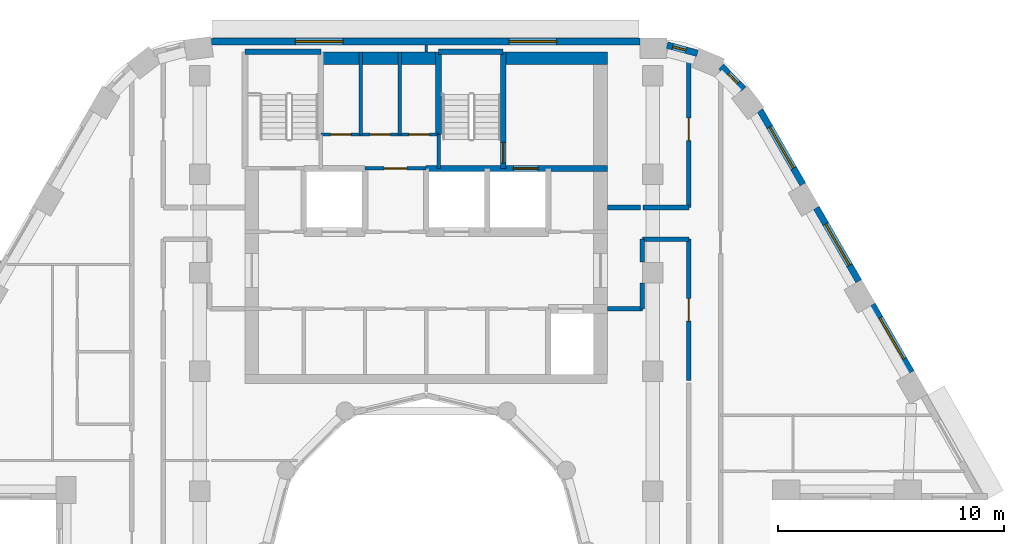
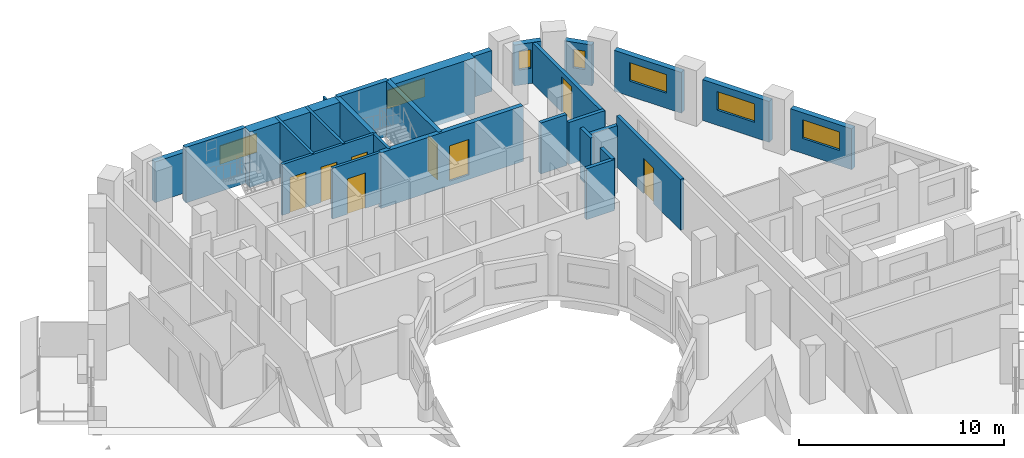
# One storey, part 9 of 17: 27 walls, 8 doors, 7 windows, 15 openings.
"""IFC4 building model written with IfcOpenShell, lengths in metres."""

import ifcopenshell
import ifcopenshell.guid

model = None  # the IFC model being written
_history = None  # IfcOwnerHistory: only IFC2X3 demands one
_inside = {}  # id of a spatial element -> (the spatial element, [elements in it])
_under = {}  # id of a project, library or spatial element -> (it, [spatial elements below it])
_declared = {}  # id of a project -> (the project, [libraries it declares])
_typed = {}  # id of a type object -> (the type object, [elements of that type])
_made_of = {}  # id of a material, layer set ... -> (it, [elements and type objects made of it])


def new_model(schema):
    """Start an empty IFC model of exactly this schema.

    Asked for "IFC4X3", IfcOpenShell would pick the latest addendum, in which some entities
    have other attributes; the version numbers below select the first issue.
    IFC2X3 requires an IfcOwnerHistory on every rooted entity: one is made here for all.
    """
    global model, _history
    if schema == "IFC4X3":
        model = ifcopenshell.file(schema_version=(4, 3, 0, 0))
    else:
        model = ifcopenshell.file(schema=schema)
    _inside.clear()
    _under.clear()
    _declared.clear()
    _typed.clear()
    _made_of.clear()
    _history = None
    if model.schema == "IFC2X3":
        org = make("IfcOrganization", Name="unknown")
        user = make(
            "IfcPersonAndOrganization",
            ThePerson=make("IfcPerson", FamilyName="unknown"),
            TheOrganization=org,
        )
        app = make(
            "IfcApplication",
            ApplicationDeveloper=org,
            Version="unknown",
            ApplicationFullName="unknown",
            ApplicationIdentifier="unknown",
        )
        _history = make(
            "IfcOwnerHistory",
            OwningUser=user,
            OwningApplication=app,
            ChangeAction="ADDED",
            CreationDate=0,
        )
    return model


def make(cls, **values):
    """One entity of the class cls with the attributes given. An attribute that is None is left unset."""
    return model.create_entity(
        cls, **{name: value for name, value in values.items() if value is not None}
    )


def rooted(cls, **values):
    """An entity with a GlobalId (a new one), such as an element, a storey or a relation."""
    return make(cls, GlobalId=ifcopenshell.guid.new(), OwnerHistory=_history, **values)


def si_unit(unit_type, name, prefix=None):
    """IfcSIUnit, for example si_unit("LENGTHUNIT", "METRE", prefix="MILLI")."""
    return make("IfcSIUnit", UnitType=unit_type, Prefix=prefix, Name=name)


def assignment(units):
    """IfcUnitAssignment: the units of a project."""
    return None if units is None else make("IfcUnitAssignment", Units=units)


def point(xyz):
    """IfcCartesianPoint."""
    return None if xyz is None else make("IfcCartesianPoint", Coordinates=xyz)


def direction(xyz):
    """IfcDirection."""
    return None if xyz is None else make("IfcDirection", DirectionRatios=xyz)


def frame(location, z_axis=None, x_axis=None):
    """IfcAxis2Placement3D, a coordinate frame: its origin and axes. An axis left out is left unset."""
    return make(
        "IfcAxis2Placement3D",
        Location=point(location),
        Axis=direction(z_axis),
        RefDirection=direction(x_axis),
    )


def frame_2d(location, x_axis=None):
    """IfcAxis2Placement2D, a coordinate frame in the plane: its origin and x axis."""
    return make(
        "IfcAxis2Placement2D", Location=point(location), RefDirection=direction(x_axis)
    )


def origin():
    """The frame at (0, 0, 0) with its axes left unset."""
    return frame((0.0, 0.0, 0.0))


def place(relative_to, where):
    """IfcLocalPlacement: puts the frame where relative to a parent placement (None: the world)."""
    return make(
        "IfcLocalPlacement", PlacementRelTo=relative_to, RelativePlacement=where
    )


def context(
    kind, dimensions, precision=None, world=None, true_north=None, identifier=None
):
    """IfcGeometricRepresentationContext, for example the 3D "Model" context."""
    return make(
        "IfcGeometricRepresentationContext",
        ContextIdentifier=identifier,
        ContextType=kind,
        CoordinateSpaceDimension=dimensions,
        Precision=precision,
        WorldCoordinateSystem=world,
        TrueNorth=true_north,
    )


def subcontext(parent, identifier, kind, view, scale=None):
    """IfcGeometricRepresentationSubContext, for example "Body" below "Model"."""
    return make(
        "IfcGeometricRepresentationSubContext",
        ContextIdentifier=identifier,
        ContextType=kind,
        ParentContext=parent,
        TargetScale=scale,
        TargetView=view,
    )


def project(units=None, contexts=None):
    """IfcProject with its units and contexts."""
    return rooted(
        "IfcProject",
        Name="project",
        RepresentationContexts=contexts,
        UnitsInContext=assignment(units),
    )


def spatial(cls, under=None, at=None, **own):
    """A site, building, storey or space (cls), placed at a placement, below another one or the project."""
    s = rooted(cls, ObjectPlacement=at, **own)
    if under is not None:
        _under.setdefault(under.id(), (under, []))[1].append(s)
    return s


def profile(cls, at=None, kind="AREA", **sizes):
    """A parametric profile (cls). Its sizes go by their IFC names, for example OverallWidth=200.0."""
    return make(cls, ProfileType=kind, Position=at, **sizes)


def rectangle(**sizes):
    """IfcRectangleProfileDef."""
    return profile("IfcRectangleProfileDef", **sizes)


def extrude(swept, where, along, depth):
    """IfcExtrudedAreaSolid: the profile swept, set in the frame where, extruded along a direction by depth."""
    return make(
        "IfcExtrudedAreaSolid",
        SweptArea=swept,
        Position=where,
        ExtrudedDirection=direction(along),
        Depth=depth,
    )


def shape(context_of_items, identifier, shape_type, items):
    """IfcShapeRepresentation: the items that make up one representation, for example the "Body"."""
    return make(
        "IfcShapeRepresentation",
        ContextOfItems=context_of_items,
        RepresentationIdentifier=identifier,
        RepresentationType=shape_type,
        Items=items,
    )


def material(Name=None, Category=None):
    """IfcMaterial."""
    return make("IfcMaterial", Name=Name, Category=Category)


def layer(
    of_material, thickness, ventilated=None, Name=None, Category=None, Priority=None
):
    """IfcMaterialLayer: one layer of a wall or slab, of a material (None: an air gap)."""
    return make(
        "IfcMaterialLayer",
        Material=of_material,
        LayerThickness=thickness,
        IsVentilated=ventilated,
        Name=Name,
        Category=Category,
        Priority=Priority,
    )


def layer_set(layers, Name=None):
    """IfcMaterialLayerSet."""
    return make("IfcMaterialLayerSet", MaterialLayers=layers, LayerSetName=Name)


def made_of(thing, what):
    """Note that an element or type object is made of a material, layer set ...; save() writes the relation."""
    if what is not None:
        _made_of.setdefault(what.id(), (what, []))[1].append(thing)
    return thing


def type_object(cls, material=None, **own):
    """A type object (cls), such as IfcWallType, which elements share."""
    return made_of(rooted(cls, **own), material)


def element(
    cls,
    number,
    at=None,
    inside=None,
    cuts=None,
    type_object=None,
    material=None,
    context=None,
    identifier="Body",
    shape_type=None,
    held_by="IfcProductDefinitionShape",
    body=None,
    shapes=None,
    **own,
):
    """One element of the class cls, such as IfcWall. Its Tag is "e" and its number.

    at: its placement. inside: the storey or other place that contains it. cuts: it is an
    opening in that element (IfcRelVoidsElement). A single representation is given by context,
    identifier, shape_type and body (its items); several are given by shapes. held_by: the class
    of the entity that holds the representations. save() writes the other relations.
    """
    e = rooted(cls, Tag="e%d" % number, ObjectPlacement=at, **own)
    if body is not None:
        shapes = [shape(context, identifier, shape_type, body)]
    if shapes is not None:
        e.Representation = make(held_by, Representations=shapes)
    if inside is not None:
        _inside.setdefault(inside.id(), (inside, []))[1].append(e)
    if cuts is not None:
        rooted(
            "IfcRelVoidsElement", RelatingBuildingElement=cuts, RelatedOpeningElement=e
        )
    if type_object is not None:
        _typed.setdefault(type_object.id(), (type_object, []))[1].append(e)
    return made_of(e, material)


def fill(opening, filler):
    """IfcRelFillsElement: the door or window that sits in an opening."""
    return rooted(
        "IfcRelFillsElement",
        RelatingOpeningElement=opening,
        RelatedBuildingElement=filler,
    )


def aggregate(whole, parts):
    """IfcRelAggregates: a whole, such as a stair, and the parts it consists of."""
    return rooted("IfcRelAggregates", RelatingObject=whole, RelatedObjects=parts)


def save(model, path):
    """Write the relations noted so far, then the file.

    IfcRelAggregates (storeys below a building ...), IfcRelContainedInSpatialStructure (elements
    in a storey), IfcRelDefinesByType, IfcRelAssociatesMaterial and IfcRelDeclares: one each for
    every whole, place, type object, material and project.
    """
    for whole, parts in _under.values():
        aggregate(whole, parts)
    for where, things in _inside.values():
        rooted(
            "IfcRelContainedInSpatialStructure",
            RelatedElements=things,
            RelatingStructure=where,
        )
    for kind, things in _typed.values():
        rooted("IfcRelDefinesByType", RelatedObjects=things, RelatingType=kind)
    for what, things in _made_of.values():
        rooted("IfcRelAssociatesMaterial", RelatedObjects=things, RelatingMaterial=what)
    for by, libraries in _declared.values():
        rooted("IfcRelDeclares", RelatingContext=by, RelatedDefinitions=libraries)
    model.write(path)


model = new_model("IFC4")

# Units and contexts
model_context = context("Model", 3, precision=1e-05, world=origin(), true_north=direction((0.0, 1.0)))
body_context = subcontext(model_context, "Body", "Model", "MODEL_VIEW")
ifc_project = project(units=[si_unit("LENGTHUNIT", "METRE"), si_unit("AREAUNIT", "SQUARE_METRE"), si_unit("VOLUMEUNIT", "CUBIC_METRE"), si_unit("PLANEANGLEUNIT", "RADIAN"), si_unit("MASSUNIT", "GRAM", prefix="KILO")], contexts=[model_context])

# Site, building, storey
site_placement = place(None, origin())
site = spatial("IfcSite", under=ifc_project, at=site_placement, CompositionType="ELEMENT")
building_placement = place(site_placement, origin())
building = spatial("IfcBuilding", under=site, at=building_placement, Name="Nakaniwa Court", CompositionType="ELEMENT")
storey_placement = place(building_placement, frame((0.0, 0.0, 209.699951171875)))
storey = spatial("IfcBuildingStorey", under=building, at=storey_placement, Name="L55", CompositionType="ELEMENT", Elevation=209.699951171875)

# Wall, opening, door
ifc_material_1 = material(Name="Acoustic double stud partition")
ifc_layer_1 = layer(ifc_material_1, 0.199951171875)
ifc_layer_set_1 = layer_set([ifc_layer_1], Name="Acoustic double stud partition")
wall_type_1 = type_object("IfcWallType", Name="Acoustic double stud partition 200", PredefinedType="PARTITIONING", material=ifc_layer_set_1)
wall_1_placement = place(storey_placement, frame((91.60009765625, 87.537109375, 0.0), z_axis=(0.0, 0.0, 1.0), x_axis=(0.0, 1.0, 0.0)))
wall_1 = element("IfcWall", 1, at=wall_1_placement, inside=storey, type_object=wall_type_1, Name="Partition PW-078", PredefinedType="PARTITIONING", context=body_context, shape_type="SweptSolid", body=[
    extrude(rectangle(XDim=6.23779296875, YDim=0.199951171875, at=frame_2d((3.118896484375, 0.0))), origin(), (0.0, 0.0, 1.0), 3.025146484375),
])
opening_1_placement = place(wall_1_placement, frame((2.6201171875, 0.0, 0.0)))
opening_1 = element("IfcOpeningElement", 2, at=opening_1_placement, cuts=wall_1, Name="Opening D-02-08", PredefinedType="OPENING", context=body_context, shape_type="SweptSolid", body=[
    extrude(rectangle(XDim=1.0, YDim=2.10009765625, at=frame_2d((0.5, 1.050048828125))), frame((0.0, 0.10986328125, 0.0), z_axis=(0.0, -1.0, 0.0), x_axis=(1.0, 0.0, 0.0)), (0.0, 0.0, 1.0), 0.219970703125),
])
ifc_material_2 = material(Name="Solid core timber door set, black veneer", Category="wood")
door_type_1 = type_object("IfcDoorType", Name="Internal door 1000", OperationType="NOTDEFINED", PredefinedType="DOOR", material=ifc_material_2)
door_1_placement = place(opening_1_placement, origin())
door_1 = element("IfcDoor", 3, at=door_1_placement, inside=storey, type_object=door_type_1, Name="Door D-02-08 L55-057", OperationType="SINGLE_SWING_RIGHT", OverallHeight=2.10009765625, OverallWidth=1.0, PredefinedType="DOOR", context=body_context, shape_type="SweptSolid", body=[
    extrude(rectangle(XDim=1.0, YDim=2.10009765625, at=frame_2d((0.5, 1.050048828125))), frame((0.0, 0.02490234375, 0.0), z_axis=(0.0, -1.0, 0.0), x_axis=(1.0, 0.0, 0.0)), (0.0, 0.0, 1.0), 0.050048828125),
])
fill(opening_1, door_1)

wall_2_placement = place(storey_placement, frame((91.60009765625, 95.175048828125, 0.0), z_axis=(0.0, 0.0, 1.0), x_axis=(0.0, 1.0, 0.0)))
wall_2 = element("IfcWall", 4, at=wall_2_placement, inside=storey, type_object=wall_type_1, Name="Partition PW-079", PredefinedType="PARTITIONING", context=body_context, shape_type="SweptSolid", body=[
    extrude(rectangle(XDim=6.898681640625, YDim=0.199951171875, at=frame_2d((3.44921875, 0.0))), origin(), (0.0, 0.0, 1.0), 2.405029296875),
])
opening_2_placement = place(wall_2_placement, frame((2.949951171875, 0.0, 0.0)))
opening_2 = element("IfcOpeningElement", 5, at=opening_2_placement, cuts=wall_2, Name="Opening D-02-09", PredefinedType="OPENING", context=body_context, shape_type="SweptSolid", body=[
    extrude(rectangle(XDim=1.0, YDim=2.10009765625, at=frame_2d((0.5, 1.050048828125))), frame((0.0, 0.10986328125, 0.0), z_axis=(0.0, -1.0, 0.0), x_axis=(1.0, 0.0, 0.0)), (0.0, 0.0, 1.0), 0.219970703125),
])
door_2_placement = place(opening_2_placement, origin())
door_2 = element("IfcDoor", 6, at=door_2_placement, inside=storey, type_object=door_type_1, Name="Door D-02-09 L55-058", OperationType="SINGLE_SWING_LEFT", OverallHeight=2.10009765625, OverallWidth=1.0, PredefinedType="DOOR", context=body_context, shape_type="SweptSolid", body=[
    extrude(rectangle(XDim=1.0, YDim=2.10009765625, at=frame_2d((0.5, 1.050048828125))), frame((0.0, 0.02490234375, 0.0), z_axis=(0.0, -1.0, 0.0), x_axis=(1.0, 0.0, 0.0)), (0.0, 0.0, 1.0), 0.050048828125),
])
fill(opening_2, door_2)

# Walls
wall_3_placement = place(storey_placement, frame((89.550048828125, 90.699951171875, 0.0), z_axis=(0.0, 0.0, 1.0), x_axis=(0.0, 1.0, 0.0)))
element("IfcWall", 7, at=wall_3_placement, inside=storey, type_object=wall_type_1, Name="Partition PW-089", PredefinedType="PARTITIONING", context=body_context, shape_type="SweptSolid", body=[
    extrude(rectangle(XDim=1.1328125, YDim=0.199951171875, at=frame_2d((0.56640625, 0.0))), origin(), (0.0, 0.0, 1.0), 3.025146484375),
])
wall_4_placement = place(storey_placement, frame((89.550048828125, 92.76708984375, 0.0), z_axis=(0.0, 0.0, 1.0), x_axis=(0.0, 1.0, 0.0)))
element("IfcWall", 8, at=wall_4_placement, inside=storey, type_object=wall_type_1, Name="Partition PW-090", PredefinedType="PARTITIONING", context=body_context, shape_type="SweptSolid", body=[
    extrude(rectangle(XDim=1.0078125, YDim=0.199951171875, at=frame_2d((0.50390625, 0.0))), origin(), (0.0, 0.0, 1.0), 3.025146484375),
])
wall_5_placement = place(storey_placement, frame((89.550048828125, 93.77490234375, 0.0), z_axis=(0.0, 0.0, 1.0), x_axis=(1.0, 0.0, 0.0)))
element("IfcWall", 9, at=wall_5_placement, inside=storey, type_object=wall_type_1, Name="Partition PW-094", PredefinedType="PARTITIONING", context=body_context, shape_type="SweptSolid", body=[
    extrude(rectangle(XDim=2.050048828125, YDim=0.199951171875, at=frame_2d((1.02490234375, 0.0))), origin(), (0.0, 0.0, 1.0), 2.505126953125),
])
wall_6_placement = place(storey_placement, frame((88.0, 90.699951171875, 0.0), z_axis=(0.0, 0.0, 1.0), x_axis=(1.0, 0.0, 0.0)))
element("IfcWall", 10, at=wall_6_placement, inside=storey, type_object=wall_type_1, Name="Partition PW-096", PredefinedType="PARTITIONING", context=body_context, shape_type="SweptSolid", body=[
    extrude(rectangle(XDim=1.550048828125, YDim=0.199951171875, at=frame_2d((0.77490234375, 0.0))), origin(), (0.0, 0.0, 1.0), 3.025146484375),
])
wall_7_placement = place(storey_placement, frame((88.0, 95.175048828125, 0.0), z_axis=(0.0, 0.0, 1.0), x_axis=(1.0, 0.0, 0.0)))
element("IfcWall", 11, at=wall_7_placement, inside=storey, type_object=wall_type_1, Name="Partition PW-099", PredefinedType="PARTITIONING", context=body_context, shape_type="SweptSolid", body=[
    extrude(rectangle(XDim=1.472900390625, YDim=0.199951171875, at=frame_2d((0.736328125, 0.0))), origin(), (0.0, 0.0, 1.0), 3.025146484375),
])
wall_8_placement = place(storey_placement, frame((89.587158203125, 95.175048828125, 0.0), z_axis=(0.0, 0.0, 1.0), x_axis=(1.0, 0.0, 0.0)))
element("IfcWall", 12, at=wall_8_placement, inside=storey, type_object=wall_type_1, Name="Partition PW-100", PredefinedType="PARTITIONING", context=body_context, shape_type="SweptSolid", body=[
    extrude(rectangle(XDim=2.012939453125, YDim=0.199951171875, at=frame_2d((1.00634765625, 0.0))), origin(), (0.0, 0.0, 1.0), 2.505126953125),
])

# Wall, opening, window
ifc_material_3 = material(Name="Charcoal ceramic cladding")
ifc_layer_2 = layer(ifc_material_3, 0.02, Name="Ceramic cladding")
ifc_material_4 = material(Name="Ventilated air cavity")
ifc_layer_3 = layer(ifc_material_4, 0.04, ventilated=True, Name="Ventilated cavity")
ifc_material_5 = material(Name="Mineral wool insulation")
ifc_layer_4 = layer(ifc_material_5, 0.1, Name="Insulation")
ifc_material_6 = material(Name="Cement bonded sheathing board")
ifc_layer_5 = layer(ifc_material_6, 0.012, Name="Sheathing")
ifc_material_7 = material(Name="Cold-formed galvanised stud frame with mineral wool infill")
ifc_layer_6 = layer(ifc_material_7, 0.1, Name="Stud frame")
ifc_material_8 = material(Name="Fire-rated gypsum plasterboard lining")
ifc_layer_7 = layer(ifc_material_8, 0.028, Name="Lining")
ifc_layer_set_2 = layer_set([ifc_layer_2, ifc_layer_3, ifc_layer_4, ifc_layer_5, ifc_layer_6, ifc_layer_7], Name="Charcoal ceramic faced external wall system")
wall_type_2 = type_object("IfcWallType", Name="Black ceramic faced external wall 300", PredefinedType="SOLIDWALL", material=ifc_layer_set_2)
wall_9_placement = place(storey_placement, frame((101.420654296875, 87.898193359375, 0.0), z_axis=(0.0, 0.0, 1.0), x_axis=(-0.499955427682, 0.866051136095, 0.0)))
wall_9 = element("IfcWall", 13, at=wall_9_placement, inside=storey, type_object=wall_type_2, Name="L55 external wall 03", PredefinedType="SOLIDWALL", context=body_context, shape_type="SweptSolid", body=[
    extrude(rectangle(XDim=3.447021484375, YDim=0.300048828125, at=frame_2d((1.7236328125, 0.0))), origin(), (0.0, 0.0, 1.0), 2.425048828125),
])
opening_3_placement = place(wall_9_placement, frame((0.673583984375, 0.0, 0.89990234375)))
opening_3 = element("IfcOpeningElement", 14, at=opening_3_placement, cuts=wall_9, Name="Opening W7.04", PredefinedType="OPENING", context=body_context, shape_type="SweptSolid", body=[
    extrude(rectangle(XDim=2.10009765625, YDim=1.10009765625, at=frame_2d((1.050048828125, 0.550048828125))), frame((0.0, 0.159912109375, 0.0), z_axis=(0.0, -1.0, 0.0), x_axis=(1.0, 0.0, 0.0)), (0.0, 0.0, 1.0), 0.320068359375),
])
ifc_material_9 = material(Name="Black anodised aluminium frame with dark low-E laminated double glazing", Category="aluminium")
window_type_1 = type_object("IfcWindowType", Name="Dark glass window 2100x1100 sill 900", PartitioningType="SINGLE_PANEL", PredefinedType="WINDOW", material=ifc_material_9)
window_1_placement = place(opening_3_placement, origin())
window_1 = element("IfcWindow", 15, at=window_1_placement, inside=storey, type_object=window_type_1, Name="L55 habitable room window 03-0", OverallHeight=1.10009765625, OverallWidth=2.10009765625, PartitioningType="SINGLE_PANEL", PredefinedType="WINDOW", context=body_context, shape_type="SweptSolid", body=[
    extrude(rectangle(XDim=2.10009765625, YDim=1.10009765625, at=frame_2d((1.050048828125, 0.550048828125))), frame((0.0, 0.030029296875, 0.0), z_axis=(0.0, -1.0, 0.0), x_axis=(1.0, 0.0, 0.0)), (0.0, 0.0, 1.0), 0.06005859375),
])
fill(opening_3, window_1)

wall_10_placement = place(storey_placement, frame((99.101318359375, 91.916015625, 0.0), z_axis=(0.0, 0.0, 1.0), x_axis=(-0.500059225181, 0.86599120741, 0.0)))
wall_10 = element("IfcWall", 16, at=wall_10_placement, inside=storey, type_object=wall_type_2, Name="L55 external wall 04", PredefinedType="SOLIDWALL", context=body_context, shape_type="SweptSolid", body=[
    extrude(rectangle(XDim=3.744140625, YDim=0.300048828125, at=frame_2d((1.8720703125, 0.0))), origin(), (0.0, 0.0, 1.0), 2.425048828125),
])
opening_4_placement = place(wall_10_placement, frame((0.822021484375, 0.0, 0.89990234375)))
opening_4 = element("IfcOpeningElement", 17, at=opening_4_placement, cuts=wall_10, Name="Opening W7.05", PredefinedType="OPENING", context=body_context, shape_type="SweptSolid", body=[
    extrude(rectangle(XDim=2.10009765625, YDim=1.10009765625, at=frame_2d((1.050048828125, 0.550048828125))), frame((0.0, 0.159912109375, 0.0), z_axis=(0.0, -1.0, 0.0), x_axis=(1.0, 0.0, 0.0)), (0.0, 0.0, 1.0), 0.320068359375),
])
window_2_placement = place(opening_4_placement, origin())
window_2 = element("IfcWindow", 18, at=window_2_placement, inside=storey, type_object=window_type_1, Name="L55 habitable room window 04-0", OverallHeight=1.10009765625, OverallWidth=2.10009765625, PartitioningType="SINGLE_PANEL", PredefinedType="WINDOW", context=body_context, shape_type="SweptSolid", body=[
    extrude(rectangle(XDim=2.10009765625, YDim=1.10009765625, at=frame_2d((1.050048828125, 0.550048828125))), frame((0.0, 0.030029296875, 0.0), z_axis=(0.0, -1.0, 0.0), x_axis=(1.0, 0.0, 0.0)), (0.0, 0.0, 1.0), 0.06005859375),
])
fill(opening_4, window_2)

wall_11_placement = place(storey_placement, frame((96.633056640625, 96.190673828125, 0.0), z_axis=(0.0, 0.0, 1.0), x_axis=(-0.499961087031, 0.866047869032, 0.0)))
wall_11 = element("IfcWall", 19, at=wall_11_placement, inside=storey, type_object=wall_type_2, Name="L55 external wall 05", PredefinedType="SOLIDWALL", context=body_context, shape_type="SweptSolid", body=[
    extrude(rectangle(XDim=3.778564453125, YDim=0.300048828125, at=frame_2d((1.88916015625, 0.0))), origin(), (0.0, 0.0, 1.0), 2.425048828125),
])
opening_5_placement = place(wall_11_placement, frame((0.827880859375, 0.0, 0.89990234375)))
opening_5 = element("IfcOpeningElement", 20, at=opening_5_placement, cuts=wall_11, Name="Opening W7.06", PredefinedType="OPENING", context=body_context, shape_type="SweptSolid", body=[
    extrude(rectangle(XDim=2.10009765625, YDim=1.10009765625, at=frame_2d((1.050048828125, 0.550048828125))), frame((0.0, 0.159912109375, 0.0), z_axis=(0.0, -1.0, 0.0), x_axis=(1.0, 0.0, 0.0)), (0.0, 0.0, 1.0), 0.320068359375),
])
window_3_placement = place(opening_5_placement, origin())
window_3 = element("IfcWindow", 21, at=window_3_placement, inside=storey, type_object=window_type_1, Name="L55 habitable room window 05-0", OverallHeight=1.10009765625, OverallWidth=2.10009765625, PartitioningType="SINGLE_PANEL", PredefinedType="WINDOW", context=body_context, shape_type="SweptSolid", body=[
    extrude(rectangle(XDim=2.10009765625, YDim=1.10009765625, at=frame_2d((1.050048828125, 0.550048828125))), frame((0.0, 0.030029296875, 0.0), z_axis=(0.0, -1.0, 0.0), x_axis=(1.0, 0.0, 0.0)), (0.0, 0.0, 1.0), 0.06005859375),
])
fill(opening_5, window_3)

wall_12_placement = place(storey_placement, frame((94.009033203125, 100.40185546875, 0.0), z_axis=(0.0, 0.0, 1.0), x_axis=(-0.69817596362, 0.715926199984, 0.0)))
wall_12 = element("IfcWall", 22, at=wall_12_placement, inside=storey, type_object=wall_type_2, Name="L55 external wall 06", PredefinedType="SOLIDWALL", context=body_context, shape_type="SweptSolid", body=[
    extrude(rectangle(XDim=1.40283203125, YDim=0.300048828125, at=frame_2d((0.701416015625, 0.0))), origin(), (0.0, 0.0, 1.0), 2.425048828125),
])
opening_6_placement = place(wall_12_placement, frame((0.35986328125, 0.0, 0.89990234375)))
opening_6 = element("IfcOpeningElement", 23, at=opening_6_placement, cuts=wall_12, Name="Opening W8.07", PredefinedType="OPENING", context=body_context, shape_type="SweptSolid", body=[
    extrude(rectangle(XDim=0.60009765625, YDim=1.10009765625, at=frame_2d((0.300048828125, 0.550048828125))), frame((0.0, 0.159912109375, 0.0), z_axis=(0.0, -1.0, 0.0), x_axis=(1.0, 0.0, 0.0)), (0.0, 0.0, 1.0), 0.320068359375),
])
window_type_2 = type_object("IfcWindowType", Name="Dark glass window 600x1100 sill 900", PartitioningType="SINGLE_PANEL", PredefinedType="WINDOW", material=ifc_material_9)
window_4_placement = place(opening_6_placement, origin())
window_4 = element("IfcWindow", 24, at=window_4_placement, inside=storey, type_object=window_type_2, Name="L55 habitable room window 06-0", OverallHeight=1.10009765625, OverallWidth=0.60009765625, PartitioningType="SINGLE_PANEL", PredefinedType="WINDOW", context=body_context, shape_type="SweptSolid", body=[
    extrude(rectangle(XDim=0.60009765625, YDim=1.10009765625, at=frame_2d((0.300048828125, 0.550048828125))), frame((0.0, 0.030029296875, 0.0), z_axis=(0.0, -1.0, 0.0), x_axis=(1.0, 0.0, 0.0)), (0.0, 0.0, 1.0), 0.06005859375),
])
fill(opening_6, window_4)

wall_13_placement = place(storey_placement, frame((91.977294921875, 101.981201171875, 0.0), z_axis=(0.0, 0.0, 1.0), x_axis=(-0.965315341278, 0.261086751661, 0.0)))
wall_13 = element("IfcWall", 25, at=wall_13_placement, inside=storey, type_object=wall_type_2, Name="L55 external wall 07", PredefinedType="SOLIDWALL", context=body_context, shape_type="SweptSolid", body=[
    extrude(rectangle(XDim=1.384033203125, YDim=0.300048828125, at=frame_2d((0.69189453125, 0.0))), origin(), (0.0, 0.0, 1.0), 2.425048828125),
])
opening_7_placement = place(wall_13_placement, frame((0.529296875, 0.0, 0.89990234375)))
opening_7 = element("IfcOpeningElement", 26, at=opening_7_placement, cuts=wall_13, Name="Opening W8.08", PredefinedType="OPENING", context=body_context, shape_type="SweptSolid", body=[
    extrude(rectangle(XDim=0.60009765625, YDim=1.10009765625, at=frame_2d((0.300048828125, 0.550048828125))), frame((0.0, 0.159912109375, 0.0), z_axis=(0.0, -1.0, 0.0), x_axis=(1.0, 0.0, 0.0)), (0.0, 0.0, 1.0), 0.320068359375),
])
window_5_placement = place(opening_7_placement, origin())
window_5 = element("IfcWindow", 27, at=window_5_placement, inside=storey, type_object=window_type_2, Name="L55 habitable room window 07-1", OverallHeight=1.10009765625, OverallWidth=0.60009765625, PartitioningType="SINGLE_PANEL", PredefinedType="WINDOW", context=body_context, shape_type="SweptSolid", body=[
    extrude(rectangle(XDim=0.60009765625, YDim=1.10009765625, at=frame_2d((0.300048828125, 0.550048828125))), frame((0.0, 0.030029296875, 0.0), z_axis=(0.0, -1.0, 0.0), x_axis=(1.0, 0.0, 0.0)), (0.0, 0.0, 1.0), 0.06005859375),
])
fill(opening_7, window_5)

# Wall, openings, windows
wall_14_placement = place(storey_placement, frame((89.44921875, 102.5, 0.0), z_axis=(0.0, 0.0, 1.0), x_axis=(-1.0, 0.0, 0.0)))
wall_14 = element("IfcWall", 28, at=wall_14_placement, inside=storey, type_object=wall_type_2, Name="L55 external wall 08", PredefinedType="SOLIDWALL", context=body_context, shape_type="SweptSolid", body=[
    extrude(rectangle(XDim=18.932861328125, YDim=0.300048828125, at=frame_2d((9.46630859375, 0.0))), origin(), (0.0, 0.0, 1.0), 2.425048828125),
])
opening_8_placement = place(wall_14_placement, frame((3.6865234375, 0.0, 0.89990234375)))
opening_8 = element("IfcOpeningElement", 29, at=opening_8_placement, cuts=wall_14, Name="Opening W7.09", PredefinedType="OPENING", context=body_context, shape_type="SweptSolid", body=[
    extrude(rectangle(XDim=2.10009765625, YDim=1.10009765625, at=frame_2d((1.050048828125, 0.550048828125))), frame((0.0, 0.159912109375, 0.0), z_axis=(0.0, -1.0, 0.0), x_axis=(1.0, 0.0, 0.0)), (0.0, 0.0, 1.0), 0.320068359375),
])
opening_9_placement = place(wall_14_placement, frame((13.117919921875, 0.0, 0.89990234375)))
opening_9 = element("IfcOpeningElement", 30, at=opening_9_placement, cuts=wall_14, Name="Opening W7.10", PredefinedType="OPENING", context=body_context, shape_type="SweptSolid", body=[
    extrude(rectangle(XDim=2.10009765625, YDim=1.10009765625, at=frame_2d((1.050048828125, 0.550048828125))), frame((0.0, 0.159912109375, 0.0), z_axis=(0.0, -1.0, 0.0), x_axis=(1.0, 0.0, 0.0)), (0.0, 0.0, 1.0), 0.320068359375),
])
window_6_placement = place(opening_8_placement, origin())
window_6 = element("IfcWindow", 31, at=window_6_placement, inside=storey, type_object=window_type_1, Name="L55 habitable room window 08-0", OverallHeight=1.10009765625, OverallWidth=2.10009765625, PartitioningType="SINGLE_PANEL", PredefinedType="WINDOW", context=body_context, shape_type="SweptSolid", body=[
    extrude(rectangle(XDim=2.10009765625, YDim=1.10009765625, at=frame_2d((1.050048828125, 0.550048828125))), frame((0.0, 0.030029296875, 0.0), z_axis=(0.0, -1.0, 0.0), x_axis=(1.0, 0.0, 0.0)), (0.0, 0.0, 1.0), 0.06005859375),
])
fill(opening_8, window_6)
window_7_placement = place(opening_9_placement, origin())
window_7 = element("IfcWindow", 32, at=window_7_placement, inside=storey, type_object=window_type_1, Name="L55 habitable room window 08-1", OverallHeight=1.10009765625, OverallWidth=2.10009765625, PartitioningType="SINGLE_PANEL", PredefinedType="WINDOW", context=body_context, shape_type="SweptSolid", body=[
    extrude(rectangle(XDim=2.10009765625, YDim=1.10009765625, at=frame_2d((1.050048828125, 0.550048828125))), frame((0.0, 0.030029296875, 0.0), z_axis=(0.0, -1.0, 0.0), x_axis=(1.0, 0.0, 0.0)), (0.0, 0.0, 1.0), 0.06005859375),
])
fill(opening_9, window_7)

# Wall, opening, door
ifc_material_10 = material(Name="Blockwork partition", Category="masonry")
ifc_layer_8 = layer(ifc_material_10, 0.14990234375)
ifc_layer_set_3 = layer_set([ifc_layer_8], Name="Blockwork partition")
wall_type_3 = type_object("IfcWallType", Name="Blockwork partition 150", PredefinedType="PARTITIONING", material=ifc_layer_set_3)
wall_15_placement = place(storey_placement, frame((77.300048828125, 96.89990234375, 0.0), z_axis=(0.0, 0.0, 1.0), x_axis=(1.0, 0.0, 0.0)))
wall_15 = element("IfcWall", 33, at=wall_15_placement, inside=storey, type_object=wall_type_3, Name="Partition PW-022", PredefinedType="PARTITIONING", context=body_context, shape_type="SweptSolid", body=[
    extrude(rectangle(XDim=2.699951171875, YDim=0.14990234375, at=frame_2d((1.35009765625, 0.0))), origin(), (0.0, 0.0, 1.0), 3.025146484375),
])
opening_10_placement = place(wall_15_placement, frame((0.85009765625, 0.0, 0.0)))
opening_10 = element("IfcOpeningElement", 34, at=opening_10_placement, cuts=wall_15, Name="Opening D-23-01", PredefinedType="OPENING", context=body_context, shape_type="SweptSolid", body=[
    extrude(rectangle(XDim=1.0, YDim=2.10009765625, at=frame_2d((0.5, 1.050048828125))), frame((0.0, 0.0849609375, 0.0), z_axis=(0.0, -1.0, 0.0), x_axis=(1.0, 0.0, 0.0)), (0.0, 0.0, 1.0), 0.169921875),
])
ifc_material_11 = material(Name="Fire rated steel door set", Category="steel")
door_type_2 = type_object("IfcDoorType", Name="Service room door 1000", OperationType="NOTDEFINED", PredefinedType="DOOR", material=ifc_material_11)
door_3_placement = place(opening_10_placement, origin())
door_3 = element("IfcDoor", 35, at=door_3_placement, inside=storey, type_object=door_type_2, Name="Door D-23-01 L55-009", OperationType="SINGLE_SWING_RIGHT", OverallHeight=2.10009765625, OverallWidth=1.0, PredefinedType="DOOR", context=body_context, shape_type="SweptSolid", body=[
    extrude(rectangle(XDim=1.0, YDim=2.10009765625, at=frame_2d((0.5, 1.050048828125))), frame((0.0, 0.02490234375, 0.0), z_axis=(0.0, -1.0, 0.0), x_axis=(1.0, 0.0, 0.0)), (0.0, 0.0, 1.0), 0.050048828125),
])
fill(opening_10, door_3)

# Wall, openings, doors
wall_16_placement = place(storey_placement, frame((75.35009765625, 98.39990234375, 0.0), z_axis=(0.0, 0.0, 1.0), x_axis=(1.0, 0.0, 0.0)))
wall_16 = element("IfcWall", 36, at=wall_16_placement, inside=storey, type_object=wall_type_3, Name="Partition PW-034", PredefinedType="PARTITIONING", context=body_context, shape_type="SweptSolid", body=[
    extrude(rectangle(XDim=5.199951171875, YDim=0.14990234375, at=frame_2d((2.60009765625, 0.0))), origin(), (0.0, 0.0, 1.0), 3.025146484375),
])
opening_11_placement = place(wall_16_placement, frame((0.43408203125, 0.0, 0.0)))
opening_11 = element("IfcOpeningElement", 37, at=opening_11_placement, cuts=wall_16, Name="Opening D-05-07", PredefinedType="OPENING", context=body_context, shape_type="SweptSolid", body=[
    extrude(rectangle(XDim=0.89990234375, YDim=2.10009765625, at=frame_2d((0.449951171875, 1.050048828125))), frame((0.0, 0.0849609375, 0.0), z_axis=(0.0, -1.0, 0.0), x_axis=(1.0, 0.0, 0.0)), (0.0, 0.0, 1.0), 0.169921875),
])
opening_12_placement = place(wall_16_placement, frame((2.176025390625, 0.0, 0.0)))
opening_12 = element("IfcOpeningElement", 38, at=opening_12_placement, cuts=wall_16, Name="Opening D-05-08", PredefinedType="OPENING", context=body_context, shape_type="SweptSolid", body=[
    extrude(rectangle(XDim=0.89990234375, YDim=2.10009765625, at=frame_2d((0.449951171875, 1.050048828125))), frame((0.0, 0.0849609375, 0.0), z_axis=(0.0, -1.0, 0.0), x_axis=(1.0, 0.0, 0.0)), (0.0, 0.0, 1.0), 0.169921875),
])
opening_13_placement = place(wall_16_placement, frame((3.89208984375, 0.0, 0.0)))
opening_13 = element("IfcOpeningElement", 39, at=opening_13_placement, cuts=wall_16, Name="Opening D-05-09", PredefinedType="OPENING", context=body_context, shape_type="SweptSolid", body=[
    extrude(rectangle(XDim=0.89990234375, YDim=2.10009765625, at=frame_2d((0.449951171875, 1.050048828125))), frame((0.0, 0.0849609375, 0.0), z_axis=(0.0, -1.0, 0.0), x_axis=(1.0, 0.0, 0.0)), (0.0, 0.0, 1.0), 0.169921875),
])
door_type_3 = type_object("IfcDoorType", Name="Service room door 900", OperationType="NOTDEFINED", PredefinedType="DOOR", material=ifc_material_11)
door_4_placement = place(opening_11_placement, origin())
door_4 = element("IfcDoor", 40, at=door_4_placement, inside=storey, type_object=door_type_3, Name="Door D-05-07 L55-010", OperationType="SINGLE_SWING_LEFT", OverallHeight=2.10009765625, OverallWidth=0.89990234375, PredefinedType="DOOR", context=body_context, shape_type="SweptSolid", body=[
    extrude(rectangle(XDim=0.89990234375, YDim=2.10009765625, at=frame_2d((0.449951171875, 1.050048828125))), frame((0.0, 0.02490234375, 0.0), z_axis=(0.0, -1.0, 0.0), x_axis=(1.0, 0.0, 0.0)), (0.0, 0.0, 1.0), 0.050048828125),
])
fill(opening_11, door_4)
door_5_placement = place(opening_12_placement, origin())
door_5 = element("IfcDoor", 41, at=door_5_placement, inside=storey, type_object=door_type_3, Name="Door D-05-08 L55-011", OperationType="SINGLE_SWING_RIGHT", OverallHeight=2.10009765625, OverallWidth=0.89990234375, PredefinedType="DOOR", context=body_context, shape_type="SweptSolid", body=[
    extrude(rectangle(XDim=0.89990234375, YDim=2.10009765625, at=frame_2d((0.449951171875, 1.050048828125))), frame((0.0, 0.02490234375, 0.0), z_axis=(0.0, -1.0, 0.0), x_axis=(1.0, 0.0, 0.0)), (0.0, 0.0, 1.0), 0.050048828125),
])
fill(opening_12, door_5)
door_6_placement = place(opening_13_placement, origin())
door_6 = element("IfcDoor", 42, at=door_6_placement, inside=storey, type_object=door_type_3, Name="Door D-05-09 L55-012", OperationType="SINGLE_SWING_LEFT", OverallHeight=2.10009765625, OverallWidth=0.89990234375, PredefinedType="DOOR", context=body_context, shape_type="SweptSolid", body=[
    extrude(rectangle(XDim=0.89990234375, YDim=2.10009765625, at=frame_2d((0.449951171875, 1.050048828125))), frame((0.0, 0.02490234375, 0.0), z_axis=(0.0, -1.0, 0.0), x_axis=(1.0, 0.0, 0.0)), (0.0, 0.0, 1.0), 0.050048828125),
])
fill(opening_13, door_6)

# Walls
for number, where, z_axis, x_axis, name in (
    (43, (77.117919921875, 98.39990234375, 0.0), (0.0, 0.0, 1.0), (0.0, 1.0, 0.0), "Partition PW-035"),
    (44, (78.833984375, 98.39990234375, 0.0), (0.0, 0.0, 1.0), (0.0, 1.0, 0.0), "Partition PW-036"),
):
    element("IfcWall", number, at=place(storey_placement, frame(where, z_axis=z_axis, x_axis=x_axis)), inside=storey, type_object=wall_type_3, Name=name, PredefinedType="PARTITIONING", context=body_context, shape_type="SweptSolid", body=[
        extrude(rectangle(XDim=3.650146484375, YDim=0.14990234375, at=frame_2d((1.8251953125, 0.0))), origin(), (0.0, 0.0, 1.0), 3.025146484375),
    ])
ifc_material_12 = material(Name="Concrete C80/100", Category="concrete")
ifc_layer_9 = layer(ifc_material_12, 0.14990234375)
ifc_layer_set_4 = layer_set([ifc_layer_9], Name="Concrete C80/100")
wall_type_4 = type_object("IfcWallType", Name="Concrete core wall 150 C80", PredefinedType="SHEAR", material=ifc_layer_set_4)
wall_17_placement = place(storey_placement, frame((80.550048828125, 96.89990234375, -0.27490234375), z_axis=(0.0, 0.0, 1.0), x_axis=(0.0, 1.0, 0.0)))
element("IfcWall", 45, at=wall_17_placement, inside=storey, type_object=wall_type_4, Name="Core wall SW-30", PredefinedType="SHEAR", context=body_context, shape_type="SweptSolid", body=[
    extrude(rectangle(XDim=1.503173828125, YDim=0.14990234375, at=frame_2d((0.75146484375, 0.0))), origin(), (0.0, 0.0, 1.0), 3.300048828125),
])
ifc_layer_10 = layer(ifc_material_12, 0.25)
ifc_layer_set_5 = layer_set([ifc_layer_10], Name="Concrete C80/100")
wall_type_5 = type_object("IfcWallType", Name="Concrete core wall 250 C80", PredefinedType="SHEAR", material=ifc_layer_set_5)
wall_18_placement = place(storey_placement, frame((72.0, 102.050048828125, -0.27490234375), z_axis=(0.0, 0.0, 1.0), x_axis=(1.0, 0.0, 0.0)))
element("IfcWall", 46, at=wall_18_placement, inside=storey, type_object=wall_type_5, Name="Core wall SW-26", PredefinedType="SHEAR", context=body_context, shape_type="SweptSolid", body=[
    extrude(rectangle(XDim=3.35009765625, YDim=0.25, at=frame_2d((1.675048828125, 0.0))), origin(), (0.0, 0.0, 1.0), 3.300048828125),
])
wall_19_placement = place(storey_placement, frame((80.550048828125, 102.050048828125, -0.27490234375), z_axis=(0.0, 0.0, 1.0), x_axis=(1.0, 0.0, 0.0)))
element("IfcWall", 47, at=wall_19_placement, inside=storey, type_object=wall_type_5, Name="Core wall SW-27", PredefinedType="SHEAR", context=body_context, shape_type="SweptSolid", body=[
    extrude(rectangle(XDim=2.849853515625, YDim=0.25, at=frame_2d((1.4248046875, 0.0))), origin(), (0.0, 0.0, 1.0), 3.300048828125),
])
ifc_layer_11 = layer(ifc_material_12, 0.550048828125)
ifc_layer_set_6 = layer_set([ifc_layer_11], Name="Concrete C80/100")
wall_type_6 = type_object("IfcWallType", Name="Concrete core wall 550 C80", PredefinedType="SHEAR", material=ifc_layer_set_6)
wall_20_placement = place(storey_placement, frame((75.35009765625, 101.77490234375, -0.27490234375), z_axis=(0.0, 0.0, 1.0), x_axis=(1.0, 0.0, 0.0)))
element("IfcWall", 48, at=wall_20_placement, inside=storey, type_object=wall_type_6, Name="Core wall SW-32", PredefinedType="SHEAR", context=body_context, shape_type="SweptSolid", body=[
    extrude(rectangle(XDim=5.199951171875, YDim=0.550048828125, at=frame_2d((2.60009765625, 0.0))), origin(), (0.0, 0.0, 1.0), 3.300048828125),
])
wall_21_placement = place(storey_placement, frame((83.39990234375, 101.77490234375, -0.27490234375), z_axis=(0.0, 0.0, 1.0), x_axis=(1.0, 0.0, 0.0)))
element("IfcWall", 49, at=wall_21_placement, inside=storey, type_object=wall_type_6, Name="Core wall SW-33", PredefinedType="SHEAR", context=body_context, shape_type="SweptSolid", body=[
    extrude(rectangle(XDim=4.60009765625, YDim=0.550048828125, at=frame_2d((2.300048828125, 0.0))), origin(), (0.0, 0.0, 1.0), 3.300048828125),
])

# Wall, opening, door
ifc_layer_12 = layer(ifc_material_12, 0.25)
ifc_layer_set_7 = layer_set([ifc_layer_12], Name="Concrete C80/100")
wall_type_7 = type_object("IfcWallType", Name="Concrete shaft wall 250 C80", PredefinedType="SHEAR", material=ifc_layer_set_7)
wall_22_placement = place(storey_placement, frame((80.0, 96.89990234375, -0.27490234375), z_axis=(0.0, 0.0, 1.0), x_axis=(1.0, 0.0, 0.0)))
wall_22 = element("IfcWall", 50, at=wall_22_placement, inside=storey, type_object=wall_type_7, Name="Core wall SW-20", PredefinedType="SHEAR", context=body_context, shape_type="SweptSolid", body=[
    extrude(rectangle(XDim=8.0, YDim=0.25, at=frame_2d((4.0, 0.0))), origin(), (0.0, 0.0, 1.0), 3.300048828125),
])
opening_14_placement = place(wall_22_placement, frame((3.84912109375, 0.0, 0.27490234375)))
opening_14 = element("IfcOpeningElement", 51, at=opening_14_placement, cuts=wall_22, Name="Opening LD04", PredefinedType="OPENING", context=body_context, shape_type="SweptSolid", body=[
    extrude(rectangle(XDim=1.10009765625, YDim=2.10009765625, at=frame_2d((0.550048828125, 1.050048828125))), frame((0.0, 0.135009765625, 0.0), z_axis=(0.0, -1.0, 0.0), x_axis=(1.0, 0.0, 0.0)), (0.0, 0.0, 1.0), 0.27001953125),
])
ifc_material_13 = material(Name="Stainless steel sliding lift landing door", Category="steel")
door_type_4 = type_object("IfcDoorType", Name="Lift landing door 1100", OperationType="NOTDEFINED", PredefinedType="DOOR", material=ifc_material_13)
door_7_placement = place(opening_14_placement, origin())
door_7 = element("IfcDoor", 52, at=door_7_placement, inside=storey, type_object=door_type_4, Name="Lift landing door LD04 L55-004", OperationType="SLIDING_TO_LEFT", OverallHeight=2.10009765625, OverallWidth=1.10009765625, PredefinedType="DOOR", context=body_context, shape_type="SweptSolid", body=[
    extrude(rectangle(XDim=1.10009765625, YDim=2.10009765625, at=frame_2d((0.550048828125, 1.050048828125))), frame((0.0, 0.02490234375, 0.0), z_axis=(0.0, -1.0, 0.0), x_axis=(1.0, 0.0, 0.0)), (0.0, 0.0, 1.0), 0.050048828125),
])
fill(opening_14, door_7)

wall_23_placement = place(storey_placement, frame((83.39990234375, 102.050048828125, -0.27490234375), z_axis=(0.0, 0.0, 1.0), x_axis=(0.0, -1.0, 0.0)))
wall_23 = element("IfcWall", 53, at=wall_23_placement, inside=storey, type_object=wall_type_7, Name="Core wall SW-29", PredefinedType="SHEAR", context=body_context, shape_type="SweptSolid", body=[
    extrude(rectangle(XDim=5.150146484375, YDim=0.25, at=frame_2d((2.5751953125, 0.0))), origin(), (0.0, 0.0, 1.0), 3.300048828125),
])
opening_15_placement = place(wall_23_placement, frame((4.0, 0.0, 0.27490234375)))
opening_15 = element("IfcOpeningElement", 54, at=opening_15_placement, cuts=wall_23, Name="Opening D-11-01", PredefinedType="OPENING", context=body_context, shape_type="SweptSolid", body=[
    extrude(rectangle(XDim=0.89990234375, YDim=2.10009765625, at=frame_2d((0.449951171875, 1.050048828125))), frame((0.0, 0.135009765625, 0.0), z_axis=(0.0, -1.0, 0.0), x_axis=(1.0, 0.0, 0.0)), (0.0, 0.0, 1.0), 0.27001953125),
])
door_type_5 = type_object("IfcDoorType", Name="Stair door 900", OperationType="NOTDEFINED", PredefinedType="DOOR", material=ifc_material_11)
door_8_placement = place(opening_15_placement, origin())
door_8 = element("IfcDoor", 55, at=door_8_placement, inside=storey, type_object=door_type_5, Name="Door D-11-01 L55-014", OperationType="SINGLE_SWING_RIGHT", OverallHeight=2.10009765625, OverallWidth=0.89990234375, PredefinedType="DOOR", context=body_context, shape_type="SweptSolid", body=[
    extrude(rectangle(XDim=0.89990234375, YDim=2.10009765625, at=frame_2d((0.449951171875, 1.050048828125))), frame((0.0, 0.02490234375, 0.0), z_axis=(0.0, -1.0, 0.0), x_axis=(1.0, 0.0, 0.0)), (0.0, 0.0, 1.0), 0.050048828125),
])
fill(opening_15, door_8)

# Walls
wall_24_placement = place(storey_placement, frame((80.550048828125, 98.39697265625, -0.27490234375), z_axis=(0.0, 0.0, 1.0), x_axis=(0.0, 1.0, 0.0)))
element("IfcWall", 56, at=wall_24_placement, inside=storey, type_object=wall_type_7, Name="Core wall SW-31", PredefinedType="SHEAR", context=body_context, shape_type="SweptSolid", body=[
    extrude(rectangle(XDim=3.653076171875, YDim=0.25, at=frame_2d((1.82666015625, 0.0))), origin(), (0.0, 0.0, 1.0), 3.300048828125),
])
ifc_material_14 = material(Name="Single stud plasterboard partition")
ifc_layer_13 = layer(ifc_material_14, 0.10009765625)
ifc_layer_set_8 = layer_set([ifc_layer_13], Name="Single stud plasterboard partition")
wall_type_8 = type_object("IfcWallType", Name="Single stud plasterboard partition 100", PredefinedType="PARTITIONING", material=ifc_layer_set_8)
wall_25_placement = place(storey_placement, frame((80.0, 102.050048828125, 0.0), z_axis=(0.0, 0.0, 1.0), x_axis=(0.0, 1.0, 0.0)))
element("IfcWall", 57, at=wall_25_placement, inside=storey, type_object=wall_type_8, Name="Partition PW-115", PredefinedType="PARTITIONING", context=body_context, shape_type="SweptSolid", body=[
    extrude(rectangle(XDim=0.300048828125, YDim=0.10009765625, at=frame_2d((0.14990234375, 0.0))), origin(), (0.0, 0.0, 1.0), 3.025146484375),
])

save(model, "model.ifc")
